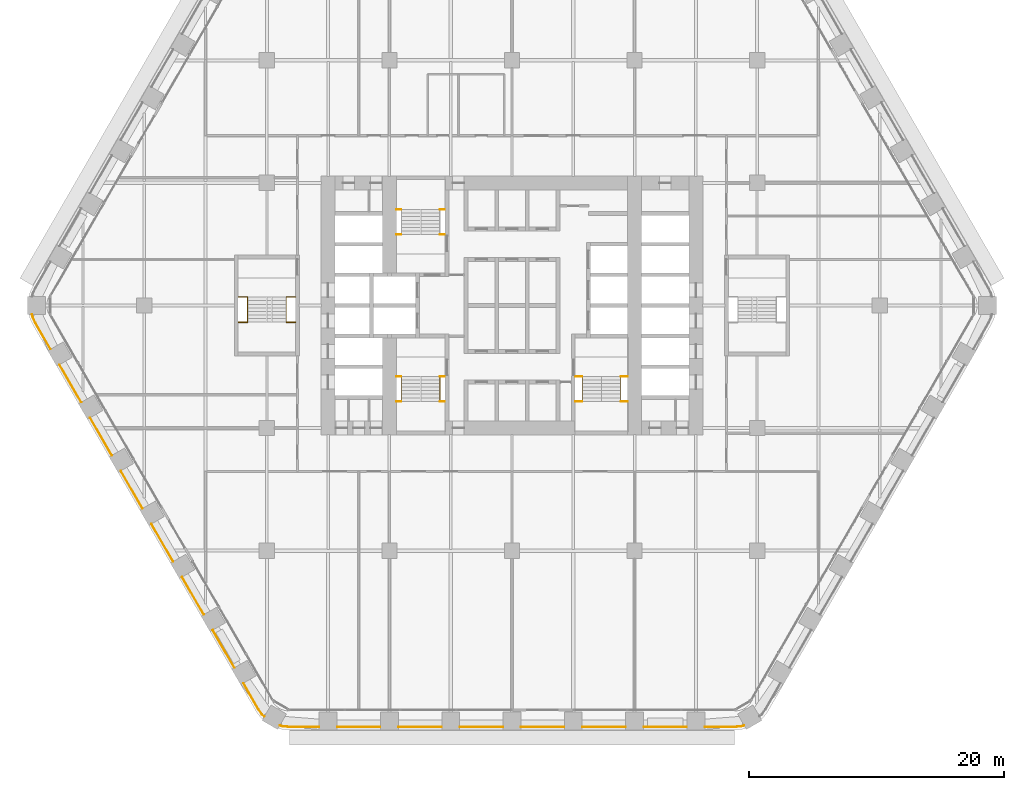
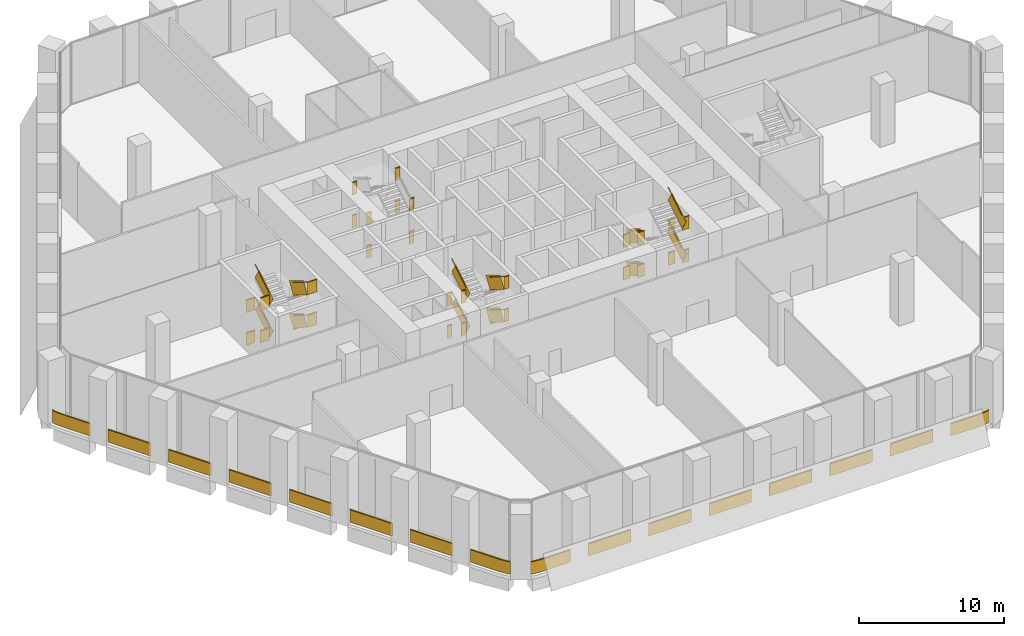
# One storey, part 26 of 27: 9 railings.
"""IFC4 building model written with IfcOpenShell, lengths in metres."""

import ifcopenshell
import ifcopenshell.guid

model = None  # the IFC model being written
_history = None  # IfcOwnerHistory: only IFC2X3 demands one
_inside = {}  # id of a spatial element -> (the spatial element, [elements in it])
_under = {}  # id of a project, library or spatial element -> (it, [spatial elements below it])
_declared = {}  # id of a project -> (the project, [libraries it declares])
_typed = {}  # id of a type object -> (the type object, [elements of that type])
_made_of = {}  # id of a material, layer set ... -> (it, [elements and type objects made of it])


def new_model(schema):
    """Start an empty IFC model of exactly this schema.

    Asked for "IFC4X3", IfcOpenShell would pick the latest addendum, in which some entities
    have other attributes; the version numbers below select the first issue.
    IFC2X3 requires an IfcOwnerHistory on every rooted entity: one is made here for all.
    """
    global model, _history
    if schema == "IFC4X3":
        model = ifcopenshell.file(schema_version=(4, 3, 0, 0))
    else:
        model = ifcopenshell.file(schema=schema)
    _inside.clear()
    _under.clear()
    _declared.clear()
    _typed.clear()
    _made_of.clear()
    _history = None
    if model.schema == "IFC2X3":
        org = make("IfcOrganization", Name="unknown")
        user = make(
            "IfcPersonAndOrganization",
            ThePerson=make("IfcPerson", FamilyName="unknown"),
            TheOrganization=org,
        )
        app = make(
            "IfcApplication",
            ApplicationDeveloper=org,
            Version="unknown",
            ApplicationFullName="unknown",
            ApplicationIdentifier="unknown",
        )
        _history = make(
            "IfcOwnerHistory",
            OwningUser=user,
            OwningApplication=app,
            ChangeAction="ADDED",
            CreationDate=0,
        )
    return model


def make(cls, **values):
    """One entity of the class cls with the attributes given. An attribute that is None is left unset."""
    return model.create_entity(
        cls, **{name: value for name, value in values.items() if value is not None}
    )


def rooted(cls, **values):
    """An entity with a GlobalId (a new one), such as an element, a storey or a relation."""
    return make(cls, GlobalId=ifcopenshell.guid.new(), OwnerHistory=_history, **values)


def si_unit(unit_type, name, prefix=None):
    """IfcSIUnit, for example si_unit("LENGTHUNIT", "METRE", prefix="MILLI")."""
    return make("IfcSIUnit", UnitType=unit_type, Prefix=prefix, Name=name)


def assignment(units):
    """IfcUnitAssignment: the units of a project."""
    return None if units is None else make("IfcUnitAssignment", Units=units)


def point(xyz):
    """IfcCartesianPoint."""
    return None if xyz is None else make("IfcCartesianPoint", Coordinates=xyz)


def direction(xyz):
    """IfcDirection."""
    return None if xyz is None else make("IfcDirection", DirectionRatios=xyz)


def frame(location, z_axis=None, x_axis=None):
    """IfcAxis2Placement3D, a coordinate frame: its origin and axes. An axis left out is left unset."""
    return make(
        "IfcAxis2Placement3D",
        Location=point(location),
        Axis=direction(z_axis),
        RefDirection=direction(x_axis),
    )


def frame_2d(location, x_axis=None):
    """IfcAxis2Placement2D, a coordinate frame in the plane: its origin and x axis."""
    return make(
        "IfcAxis2Placement2D", Location=point(location), RefDirection=direction(x_axis)
    )


def origin():
    """The frame at (0, 0, 0) with its axes left unset."""
    return frame((0.0, 0.0, 0.0))


def origin_2d():
    """The frame at (0, 0) in the plane with its x axis left unset."""
    return frame_2d((0.0, 0.0))


def place(relative_to, where):
    """IfcLocalPlacement: puts the frame where relative to a parent placement (None: the world)."""
    return make(
        "IfcLocalPlacement", PlacementRelTo=relative_to, RelativePlacement=where
    )


def context(
    kind, dimensions, precision=None, world=None, true_north=None, identifier=None
):
    """IfcGeometricRepresentationContext, for example the 3D "Model" context."""
    return make(
        "IfcGeometricRepresentationContext",
        ContextIdentifier=identifier,
        ContextType=kind,
        CoordinateSpaceDimension=dimensions,
        Precision=precision,
        WorldCoordinateSystem=world,
        TrueNorth=true_north,
    )


def subcontext(parent, identifier, kind, view, scale=None):
    """IfcGeometricRepresentationSubContext, for example "Body" below "Model"."""
    return make(
        "IfcGeometricRepresentationSubContext",
        ContextIdentifier=identifier,
        ContextType=kind,
        ParentContext=parent,
        TargetScale=scale,
        TargetView=view,
    )


def project(units=None, contexts=None):
    """IfcProject with its units and contexts."""
    return rooted(
        "IfcProject",
        Name="project",
        RepresentationContexts=contexts,
        UnitsInContext=assignment(units),
    )


def spatial(cls, under=None, at=None, **own):
    """A site, building, storey or space (cls), placed at a placement, below another one or the project."""
    s = rooted(cls, ObjectPlacement=at, **own)
    if under is not None:
        _under.setdefault(under.id(), (under, []))[1].append(s)
    return s


def profile(cls, at=None, kind="AREA", **sizes):
    """A parametric profile (cls). Its sizes go by their IFC names, for example OverallWidth=200.0."""
    return make(cls, ProfileType=kind, Position=at, **sizes)


def rectangle(**sizes):
    """IfcRectangleProfileDef."""
    return profile("IfcRectangleProfileDef", **sizes)


def extrude(swept, where, along, depth):
    """IfcExtrudedAreaSolid: the profile swept, set in the frame where, extruded along a direction by depth."""
    return make(
        "IfcExtrudedAreaSolid",
        SweptArea=swept,
        Position=where,
        ExtrudedDirection=direction(along),
        Depth=depth,
    )


def shape(context_of_items, identifier, shape_type, items):
    """IfcShapeRepresentation: the items that make up one representation, for example the "Body"."""
    return make(
        "IfcShapeRepresentation",
        ContextOfItems=context_of_items,
        RepresentationIdentifier=identifier,
        RepresentationType=shape_type,
        Items=items,
    )


def material(Name=None, Category=None):
    """IfcMaterial."""
    return make("IfcMaterial", Name=Name, Category=Category)


def made_of(thing, what):
    """Note that an element or type object is made of a material, layer set ...; save() writes the relation."""
    if what is not None:
        _made_of.setdefault(what.id(), (what, []))[1].append(thing)
    return thing


def type_object(cls, material=None, **own):
    """A type object (cls), such as IfcWallType, which elements share."""
    return made_of(rooted(cls, **own), material)


def element(
    cls,
    number,
    at=None,
    inside=None,
    cuts=None,
    type_object=None,
    material=None,
    context=None,
    identifier="Body",
    shape_type=None,
    held_by="IfcProductDefinitionShape",
    body=None,
    shapes=None,
    **own,
):
    """One element of the class cls, such as IfcWall. Its Tag is "e" and its number.

    at: its placement. inside: the storey or other place that contains it. cuts: it is an
    opening in that element (IfcRelVoidsElement). A single representation is given by context,
    identifier, shape_type and body (its items); several are given by shapes. held_by: the class
    of the entity that holds the representations. save() writes the other relations.
    """
    e = rooted(cls, Tag="e%d" % number, ObjectPlacement=at, **own)
    if body is not None:
        shapes = [shape(context, identifier, shape_type, body)]
    if shapes is not None:
        e.Representation = make(held_by, Representations=shapes)
    if inside is not None:
        _inside.setdefault(inside.id(), (inside, []))[1].append(e)
    if cuts is not None:
        rooted(
            "IfcRelVoidsElement", RelatingBuildingElement=cuts, RelatedOpeningElement=e
        )
    if type_object is not None:
        _typed.setdefault(type_object.id(), (type_object, []))[1].append(e)
    return made_of(e, material)


def aggregate(whole, parts):
    """IfcRelAggregates: a whole, such as a stair, and the parts it consists of."""
    return rooted("IfcRelAggregates", RelatingObject=whole, RelatedObjects=parts)


def save(model, path):
    """Write the relations noted so far, then the file.

    IfcRelAggregates (storeys below a building ...), IfcRelContainedInSpatialStructure (elements
    in a storey), IfcRelDefinesByType, IfcRelAssociatesMaterial and IfcRelDeclares: one each for
    every whole, place, type object, material and project.
    """
    for whole, parts in _under.values():
        aggregate(whole, parts)
    for where, things in _inside.values():
        rooted(
            "IfcRelContainedInSpatialStructure",
            RelatedElements=things,
            RelatingStructure=where,
        )
    for kind, things in _typed.values():
        rooted("IfcRelDefinesByType", RelatedObjects=things, RelatingType=kind)
    for what, things in _made_of.values():
        rooted("IfcRelAssociatesMaterial", RelatedObjects=things, RelatingMaterial=what)
    for by, libraries in _declared.values():
        rooted("IfcRelDeclares", RelatingContext=by, RelatedDefinitions=libraries)
    model.write(path)


model = new_model("IFC4")

# Units and contexts
model_context = context("Model", 3, precision=1e-05, world=origin(), true_north=direction((0.0, 1.0)))
body_context = subcontext(model_context, "Body", "Model", "MODEL_VIEW")
ifc_project = project(units=[si_unit("LENGTHUNIT", "METRE"), si_unit("AREAUNIT", "SQUARE_METRE"), si_unit("VOLUMEUNIT", "CUBIC_METRE"), si_unit("PLANEANGLEUNIT", "RADIAN"), si_unit("MASSUNIT", "GRAM", prefix="KILO")], contexts=[model_context])

# Site, building, storey
site_placement = place(None, origin())
site = spatial("IfcSite", under=ifc_project, at=site_placement, CompositionType="ELEMENT")
building_placement = place(site_placement, origin())
building = spatial("IfcBuilding", under=site, at=building_placement, Name="Kolab Exchange Tower", CompositionType="ELEMENT")
storey_placement = place(building_placement, frame((0.0, 0.0, 44.39990234375)))
storey = spatial("IfcBuildingStorey", under=building, at=storey_placement, Name="L08", CompositionType="ELEMENT", Elevation=44.39990234375)

# Railings
ifc_material_1 = material(Name="Stainless steel 316", Category="steel")
railing_type_1 = type_object("IfcRailingType", Name="GUARD 1100", PredefinedType="GUARDRAIL", material=ifc_material_1)
railing_1_placement = place(storey_placement, frame((-9.050048828125, 5.550048828125, 0.0)))
element("IfcRailing", 1, at=railing_1_placement, inside=storey, type_object=railing_type_1, Name="Guard ST1", PredefinedType="GUARDRAIL", context=body_context, shape_type="SweptSolid", body=[
    extrude(rectangle(XDim=0.05, YDim=0.05, at=origin_2d()), frame((0.0, 0.0, 1.0751953125), z_axis=(1.0, 0.0, 0.0), x_axis=(0.0, 1.0, 0.0)), (0.0, 0.0, 1.0), 0.39013671875),
    extrude(rectangle(XDim=0.012, YDim=1.05009765625, at=frame_2d((0.0, 0.525146484375))), frame((0.0, 0.0, 0.0), z_axis=(1.0, 0.0, 0.0), x_axis=(0.0, 1.0, 0.0)), (0.0, 0.0, 1.0), 0.39013671875),
    extrude(rectangle(XDim=0.05, YDim=0.05, at=origin_2d()), frame((3.41015625, 0.0, 1.0751953125), z_axis=(1.0, 0.0, 0.0), x_axis=(0.0, 1.0, 0.0)), (0.0, 0.0, 1.0), 0.389892578125),
    extrude(rectangle(XDim=0.012, YDim=1.05009765625, at=frame_2d((0.0, 0.525146484375))), frame((3.41015625, 0.0, 0.0), z_axis=(1.0, 0.0, 0.0), x_axis=(0.0, 1.0, 0.0)), (0.0, 0.0, 1.0), 0.389892578125),
    extrude(rectangle(XDim=0.05, YDim=0.05, at=origin_2d()), frame((0.0, 1.9599609375, 2.4501953125), z_axis=(1.0, 0.0, 0.0), x_axis=(0.0, 1.0, 0.0)), (0.0, 0.0, 1.0), 0.39013671875),
    extrude(rectangle(XDim=0.012, YDim=1.05009765625, at=frame_2d((0.0, 0.525146484375))), frame((0.0, 1.9599609375, 1.375), z_axis=(1.0, 0.0, 0.0), x_axis=(0.0, 1.0, 0.0)), (0.0, 0.0, 1.0), 0.39013671875),
    extrude(rectangle(XDim=0.05, YDim=0.05, at=origin_2d()), frame((3.41015625, 1.9599609375, 2.4501953125), z_axis=(1.0, 0.0, 0.0), x_axis=(0.0, 1.0, 0.0)), (0.0, 0.0, 1.0), 0.389892578125),
    extrude(rectangle(XDim=0.012, YDim=1.05009765625, at=frame_2d((0.0, 0.525146484375))), frame((3.41015625, 1.9599609375, 1.375), z_axis=(1.0, 0.0, 0.0), x_axis=(0.0, 1.0, 0.0)), (0.0, 0.0, 1.0), 0.389892578125),
    extrude(rectangle(XDim=0.05, YDim=0.05, at=origin_2d()), frame((0.0, 0.0, 3.8251953125), z_axis=(1.0, 0.0, 0.0), x_axis=(0.0, 1.0, 0.0)), (0.0, 0.0, 1.0), 0.39013671875),
    extrude(rectangle(XDim=0.012, YDim=1.05009765625, at=frame_2d((0.0, 0.525146484375))), frame((0.0, 0.0, 2.75), z_axis=(1.0, 0.0, 0.0), x_axis=(0.0, 1.0, 0.0)), (0.0, 0.0, 1.0), 0.39013671875),
    extrude(rectangle(XDim=0.05, YDim=0.05, at=origin_2d()), frame((3.41015625, 0.0, 3.8251953125), z_axis=(1.0, 0.0, 0.0), x_axis=(0.0, 1.0, 0.0)), (0.0, 0.0, 1.0), 0.389892578125),
    extrude(rectangle(XDim=0.012, YDim=1.05009765625, at=frame_2d((0.0, 0.525146484375))), frame((3.41015625, 0.0, 2.75), z_axis=(1.0, 0.0, 0.0), x_axis=(0.0, 1.0, 0.0)), (0.0, 0.0, 1.0), 0.389892578125),
    extrude(rectangle(XDim=0.05, YDim=0.05, at=origin_2d()), frame((0.0, 1.9599609375, 5.2001953125), z_axis=(1.0, 0.0, 0.0), x_axis=(0.0, 1.0, 0.0)), (0.0, 0.0, 1.0), 0.39013671875),
    extrude(rectangle(XDim=0.012, YDim=1.05009765625, at=frame_2d((0.0, 0.525146484375))), frame((0.0, 1.9599609375, 4.125), z_axis=(1.0, 0.0, 0.0), x_axis=(0.0, 1.0, 0.0)), (0.0, 0.0, 1.0), 0.39013671875),
    extrude(rectangle(XDim=0.05, YDim=0.05, at=origin_2d()), frame((3.41015625, 1.9599609375, 5.2001953125), z_axis=(1.0, 0.0, 0.0), x_axis=(0.0, 1.0, 0.0)), (0.0, 0.0, 1.0), 0.389892578125),
    extrude(rectangle(XDim=0.012, YDim=1.05009765625, at=frame_2d((0.0, 0.525146484375))), frame((3.41015625, 1.9599609375, 4.125), z_axis=(1.0, 0.0, 0.0), x_axis=(0.0, 1.0, 0.0)), (0.0, 0.0, 1.0), 0.389892578125),
])
railing_2_placement = place(storey_placement, frame((-9.050048828125, -5.550048828125, 0.0)))
element("IfcRailing", 2, at=railing_2_placement, inside=storey, type_object=railing_type_1, Name="Guard ST3", PredefinedType="GUARDRAIL", context=body_context, shape_type="SweptSolid", body=[
    extrude(rectangle(XDim=0.05, YDim=0.05, at=origin_2d()), frame((0.0, 0.0, 1.0751953125), z_axis=(1.0, 0.0, 0.0), x_axis=(0.0, 1.0, 0.0)), (0.0, 0.0, 1.0), 0.39013671875),
    extrude(rectangle(XDim=0.012, YDim=1.05009765625, at=frame_2d((0.0, 0.525146484375))), frame((0.0, 0.0, 0.0), z_axis=(1.0, 0.0, 0.0), x_axis=(0.0, 1.0, 0.0)), (0.0, 0.0, 1.0), 0.39013671875),
    extrude(rectangle(XDim=0.05, YDim=0.05, at=origin_2d()), frame((3.41015625, 0.0, 1.0751953125), z_axis=(1.0, 0.0, 0.0), x_axis=(0.0, 1.0, 0.0)), (0.0, 0.0, 1.0), 0.389892578125),
    extrude(rectangle(XDim=0.012, YDim=1.05009765625, at=frame_2d((0.0, 0.525146484375))), frame((3.41015625, 0.0, 0.0), z_axis=(1.0, 0.0, 0.0), x_axis=(0.0, 1.0, 0.0)), (0.0, 0.0, 1.0), 0.389892578125),
    extrude(rectangle(XDim=0.05, YDim=0.05, at=origin_2d()), frame((0.0, -1.9599609375, 2.4501953125), z_axis=(1.0, 0.0, 0.0), x_axis=(0.0, 1.0, 0.0)), (0.0, 0.0, 1.0), 0.39013671875),
    extrude(rectangle(XDim=0.012, YDim=1.05009765625, at=frame_2d((0.0, 0.525146484375))), frame((0.0, -1.9599609375, 1.375), z_axis=(1.0, 0.0, 0.0), x_axis=(0.0, 1.0, 0.0)), (0.0, 0.0, 1.0), 0.39013671875),
    extrude(rectangle(XDim=0.05, YDim=0.05, at=origin_2d()), frame((3.41015625, -1.9599609375, 2.4501953125), z_axis=(1.0, 0.0, 0.0), x_axis=(0.0, 1.0, 0.0)), (0.0, 0.0, 1.0), 0.389892578125),
    extrude(rectangle(XDim=0.012, YDim=1.05009765625, at=frame_2d((0.0, 0.525146484375))), frame((3.41015625, -1.9599609375, 1.375), z_axis=(1.0, 0.0, 0.0), x_axis=(0.0, 1.0, 0.0)), (0.0, 0.0, 1.0), 0.389892578125),
    extrude(rectangle(XDim=0.05, YDim=0.05, at=origin_2d()), frame((0.0, 0.0, 3.8251953125), z_axis=(1.0, 0.0, 0.0), x_axis=(0.0, 1.0, 0.0)), (0.0, 0.0, 1.0), 0.39013671875),
    extrude(rectangle(XDim=0.012, YDim=1.05009765625, at=frame_2d((0.0, 0.525146484375))), frame((0.0, 0.0, 2.75), z_axis=(1.0, 0.0, 0.0), x_axis=(0.0, 1.0, 0.0)), (0.0, 0.0, 1.0), 0.39013671875),
    extrude(rectangle(XDim=0.05, YDim=0.05, at=origin_2d()), frame((3.41015625, 0.0, 3.8251953125), z_axis=(1.0, 0.0, 0.0), x_axis=(0.0, 1.0, 0.0)), (0.0, 0.0, 1.0), 0.389892578125),
    extrude(rectangle(XDim=0.012, YDim=1.05009765625, at=frame_2d((0.0, 0.525146484375))), frame((3.41015625, 0.0, 2.75), z_axis=(1.0, 0.0, 0.0), x_axis=(0.0, 1.0, 0.0)), (0.0, 0.0, 1.0), 0.389892578125),
    extrude(rectangle(XDim=0.05, YDim=0.05, at=origin_2d()), frame((0.0, -1.9599609375, 5.2001953125), z_axis=(1.0, 0.0, 0.0), x_axis=(0.0, 1.0, 0.0)), (0.0, 0.0, 1.0), 0.39013671875),
    extrude(rectangle(XDim=0.012, YDim=1.05009765625, at=frame_2d((0.0, 0.525146484375))), frame((0.0, -1.9599609375, 4.125), z_axis=(1.0, 0.0, 0.0), x_axis=(0.0, 1.0, 0.0)), (0.0, 0.0, 1.0), 0.39013671875),
    extrude(rectangle(XDim=0.05, YDim=0.05, at=origin_2d()), frame((3.41015625, -1.9599609375, 5.2001953125), z_axis=(1.0, 0.0, 0.0), x_axis=(0.0, 1.0, 0.0)), (0.0, 0.0, 1.0), 0.389892578125),
    extrude(rectangle(XDim=0.012, YDim=1.05009765625, at=frame_2d((0.0, 0.525146484375))), frame((3.41015625, -1.9599609375, 4.125), z_axis=(1.0, 0.0, 0.0), x_axis=(0.0, 1.0, 0.0)), (0.0, 0.0, 1.0), 0.389892578125),
])
railing_3_placement = place(storey_placement, frame((-5.639892578125, -5.550048828125, 0.172119140625)))
element("IfcRailing", 3, at=railing_3_placement, inside=storey, type_object=railing_type_1, Name="Handrail guard ST3", PredefinedType="GUARDRAIL", context=body_context, shape_type="SweptSolid", body=[
    extrude(rectangle(XDim=0.05, YDim=0.05, at=origin_2d()), frame((0.0, 0.0, 1.0751953125), z_axis=(0.0, -0.852288308005, 0.523072308613), x_axis=(1.0, 0.0, 0.0)), (0.0, 0.0, 1.0), 2.299560546875),
    extrude(rectangle(XDim=0.012, YDim=1.05009765625, at=frame_2d((0.0, 0.525146484375))), frame((0.0, 0.0, 0.0), z_axis=(0.0, -0.852288308005, 0.523072308613), x_axis=(1.0, 0.0, 0.0)), (0.0, 0.0, 1.0), 2.299560546875),
    extrude(rectangle(XDim=0.05, YDim=0.05, at=origin_2d()), frame((-3.02001953125, -1.9599609375, 2.4501953125), z_axis=(0.0, 0.852288308005, 0.523072308613), x_axis=(-1.0, 0.0, 0.0)), (0.0, 0.0, 1.0), 2.299560546875),
    extrude(rectangle(XDim=0.012, YDim=1.05009765625, at=frame_2d((0.0, 0.525146484375))), frame((-3.02001953125, -1.9599609375, 1.375), z_axis=(0.0, 0.852288308005, 0.523072308613), x_axis=(-1.0, 0.0, 0.0)), (0.0, 0.0, 1.0), 2.299560546875),
    extrude(rectangle(XDim=0.05, YDim=0.05, at=origin_2d()), frame((0.0, 0.0, 3.8251953125), z_axis=(0.0, -0.852288308005, 0.523072308613), x_axis=(1.0, 0.0, 0.0)), (0.0, 0.0, 1.0), 2.299560546875),
    extrude(rectangle(XDim=0.012, YDim=1.05009765625, at=frame_2d((0.0, 0.525146484375))), frame((0.0, 0.0, 2.75), z_axis=(0.0, -0.852288308005, 0.523072308613), x_axis=(1.0, 0.0, 0.0)), (0.0, 0.0, 1.0), 2.299560546875),
    extrude(rectangle(XDim=0.05, YDim=0.05, at=origin_2d()), frame((-3.02001953125, -1.9599609375, 5.2001953125), z_axis=(0.0, 0.852288308005, 0.523072308613), x_axis=(-1.0, 0.0, 0.0)), (0.0, 0.0, 1.0), 2.299560546875),
    extrude(rectangle(XDim=0.012, YDim=1.05009765625, at=frame_2d((0.0, 0.525146484375))), frame((-3.02001953125, -1.9599609375, 4.125), z_axis=(0.0, 0.852288308005, 0.523072308613), x_axis=(-1.0, 0.0, 0.0)), (0.0, 0.0, 1.0), 2.299560546875),
])
railing_4_placement = place(storey_placement, frame((4.949951171875, -5.550048828125, 0.0)))
element("IfcRailing", 4, at=railing_4_placement, inside=storey, type_object=railing_type_1, Name="Guard ST2", PredefinedType="GUARDRAIL", context=body_context, shape_type="SweptSolid", body=[
    extrude(rectangle(XDim=0.05, YDim=0.05, at=origin_2d()), frame((0.0, 0.0, 1.0751953125), z_axis=(1.0, 0.0, 0.0), x_axis=(0.0, 1.0, 0.0)), (0.0, 0.0, 1.0), 0.5400390625),
    extrude(rectangle(XDim=0.012, YDim=1.05009765625, at=frame_2d((0.0, 0.525146484375))), frame((0.0, 0.0, 0.0), z_axis=(1.0, 0.0, 0.0), x_axis=(0.0, 1.0, 0.0)), (0.0, 0.0, 1.0), 0.5400390625),
    extrude(rectangle(XDim=0.05, YDim=0.05, at=origin_2d()), frame((3.56005859375, 0.0, 1.0751953125), z_axis=(1.0, 0.0, 0.0), x_axis=(0.0, 1.0, 0.0)), (0.0, 0.0, 1.0), 0.5400390625),
    extrude(rectangle(XDim=0.012, YDim=1.05009765625, at=frame_2d((0.0, 0.525146484375))), frame((3.56005859375, 0.0, 0.0), z_axis=(1.0, 0.0, 0.0), x_axis=(0.0, 1.0, 0.0)), (0.0, 0.0, 1.0), 0.5400390625),
    extrude(rectangle(XDim=0.05, YDim=0.05, at=origin_2d()), frame((0.0, -1.9599609375, 2.4501953125), z_axis=(1.0, 0.0, 0.0), x_axis=(0.0, 1.0, 0.0)), (0.0, 0.0, 1.0), 0.5400390625),
    extrude(rectangle(XDim=0.012, YDim=1.05009765625, at=frame_2d((0.0, 0.525146484375))), frame((0.0, -1.9599609375, 1.375), z_axis=(1.0, 0.0, 0.0), x_axis=(0.0, 1.0, 0.0)), (0.0, 0.0, 1.0), 0.5400390625),
    extrude(rectangle(XDim=0.05, YDim=0.05, at=origin_2d()), frame((3.56005859375, -1.9599609375, 2.4501953125), z_axis=(1.0, 0.0, 0.0), x_axis=(0.0, 1.0, 0.0)), (0.0, 0.0, 1.0), 0.5400390625),
    extrude(rectangle(XDim=0.012, YDim=1.05009765625, at=frame_2d((0.0, 0.525146484375))), frame((3.56005859375, -1.9599609375, 1.375), z_axis=(1.0, 0.0, 0.0), x_axis=(0.0, 1.0, 0.0)), (0.0, 0.0, 1.0), 0.5400390625),
    extrude(rectangle(XDim=0.05, YDim=0.05, at=origin_2d()), frame((0.0, 0.0, 3.8251953125), z_axis=(1.0, 0.0, 0.0), x_axis=(0.0, 1.0, 0.0)), (0.0, 0.0, 1.0), 0.5400390625),
    extrude(rectangle(XDim=0.012, YDim=1.05009765625, at=frame_2d((0.0, 0.525146484375))), frame((0.0, 0.0, 2.75), z_axis=(1.0, 0.0, 0.0), x_axis=(0.0, 1.0, 0.0)), (0.0, 0.0, 1.0), 0.5400390625),
    extrude(rectangle(XDim=0.05, YDim=0.05, at=origin_2d()), frame((3.56005859375, 0.0, 3.8251953125), z_axis=(1.0, 0.0, 0.0), x_axis=(0.0, 1.0, 0.0)), (0.0, 0.0, 1.0), 0.5400390625),
    extrude(rectangle(XDim=0.012, YDim=1.05009765625, at=frame_2d((0.0, 0.525146484375))), frame((3.56005859375, 0.0, 2.75), z_axis=(1.0, 0.0, 0.0), x_axis=(0.0, 1.0, 0.0)), (0.0, 0.0, 1.0), 0.5400390625),
    extrude(rectangle(XDim=0.05, YDim=0.05, at=origin_2d()), frame((0.0, -1.9599609375, 5.2001953125), z_axis=(1.0, 0.0, 0.0), x_axis=(0.0, 1.0, 0.0)), (0.0, 0.0, 1.0), 0.5400390625),
    extrude(rectangle(XDim=0.012, YDim=1.05009765625, at=frame_2d((0.0, 0.525146484375))), frame((0.0, -1.9599609375, 4.125), z_axis=(1.0, 0.0, 0.0), x_axis=(0.0, 1.0, 0.0)), (0.0, 0.0, 1.0), 0.5400390625),
    extrude(rectangle(XDim=0.05, YDim=0.05, at=origin_2d()), frame((3.56005859375, -1.9599609375, 5.2001953125), z_axis=(1.0, 0.0, 0.0), x_axis=(0.0, 1.0, 0.0)), (0.0, 0.0, 1.0), 0.5400390625),
    extrude(rectangle(XDim=0.012, YDim=1.05009765625, at=frame_2d((0.0, 0.525146484375))), frame((3.56005859375, -1.9599609375, 4.125), z_axis=(1.0, 0.0, 0.0), x_axis=(0.0, 1.0, 0.0)), (0.0, 0.0, 1.0), 0.5400390625),
])
railing_5_placement = place(storey_placement, frame((5.489990234375, -5.550048828125, 0.172119140625)))
element("IfcRailing", 5, at=railing_5_placement, inside=storey, type_object=railing_type_1, Name="Handrail guard ST2", PredefinedType="GUARDRAIL", context=body_context, shape_type="SweptSolid", body=[
    extrude(rectangle(XDim=0.05, YDim=0.05, at=origin_2d()), frame((0.0, 0.0, 1.0751953125), z_axis=(0.0, -0.852288308005, 0.523072308613), x_axis=(1.0, 0.0, 0.0)), (0.0, 0.0, 1.0), 2.299560546875),
    extrude(rectangle(XDim=0.012, YDim=1.05009765625, at=frame_2d((0.0, 0.525146484375))), frame((0.0, 0.0, 0.0), z_axis=(0.0, -0.852288308005, 0.523072308613), x_axis=(1.0, 0.0, 0.0)), (0.0, 0.0, 1.0), 2.299560546875),
    extrude(rectangle(XDim=0.05, YDim=0.05, at=origin_2d()), frame((3.02001953125, -1.9599609375, 2.4501953125), z_axis=(0.0, 0.852288308005, 0.523072308613), x_axis=(-1.0, 0.0, 0.0)), (0.0, 0.0, 1.0), 2.299560546875),
    extrude(rectangle(XDim=0.012, YDim=1.05009765625, at=frame_2d((0.0, 0.525146484375))), frame((3.02001953125, -1.9599609375, 1.375), z_axis=(0.0, 0.852288308005, 0.523072308613), x_axis=(-1.0, 0.0, 0.0)), (0.0, 0.0, 1.0), 2.299560546875),
    extrude(rectangle(XDim=0.05, YDim=0.05, at=origin_2d()), frame((0.0, 0.0, 3.8251953125), z_axis=(0.0, -0.852288308005, 0.523072308613), x_axis=(1.0, 0.0, 0.0)), (0.0, 0.0, 1.0), 2.299560546875),
    extrude(rectangle(XDim=0.012, YDim=1.05009765625, at=frame_2d((0.0, 0.525146484375))), frame((0.0, 0.0, 2.75), z_axis=(0.0, -0.852288308005, 0.523072308613), x_axis=(1.0, 0.0, 0.0)), (0.0, 0.0, 1.0), 2.299560546875),
    extrude(rectangle(XDim=0.05, YDim=0.05, at=origin_2d()), frame((3.02001953125, -1.9599609375, 5.2001953125), z_axis=(0.0, 0.852288308005, 0.523072308613), x_axis=(-1.0, 0.0, 0.0)), (0.0, 0.0, 1.0), 2.299560546875),
    extrude(rectangle(XDim=0.012, YDim=1.05009765625, at=frame_2d((0.0, 0.525146484375))), frame((3.02001953125, -1.9599609375, 4.125), z_axis=(0.0, 0.852288308005, 0.523072308613), x_axis=(-1.0, 0.0, 0.0)), (0.0, 0.0, 1.0), 2.299560546875),
])
railing_6_placement = place(storey_placement, frame((-21.449951171875, 0.64990234375, 0.0)))
element("IfcRailing", 6, at=railing_6_placement, inside=storey, type_object=railing_type_1, Name="Guard ST5", PredefinedType="GUARDRAIL", context=body_context, shape_type="SweptSolid", body=[
    extrude(rectangle(XDim=0.05, YDim=0.05, at=origin_2d()), frame((0.0, 0.0, 1.0751953125), z_axis=(1.0, 0.0, 0.0), x_axis=(0.0, 1.0, 0.0)), (0.0, 0.0, 1.0), 0.739990234375),
    extrude(rectangle(XDim=0.012, YDim=1.05009765625, at=frame_2d((0.0, 0.525146484375))), frame((0.0, 0.0, 0.0), z_axis=(1.0, 0.0, 0.0), x_axis=(0.0, 1.0, 0.0)), (0.0, 0.0, 1.0), 0.739990234375),
    extrude(rectangle(XDim=0.05, YDim=0.05, at=origin_2d()), frame((3.760009765625, 0.0, 1.0751953125), z_axis=(1.0, 0.0, 0.0), x_axis=(0.0, 1.0, 0.0)), (0.0, 0.0, 1.0), 0.739990234375),
    extrude(rectangle(XDim=0.012, YDim=1.05009765625, at=frame_2d((0.0, 0.525146484375))), frame((3.760009765625, 0.0, 0.0), z_axis=(1.0, 0.0, 0.0), x_axis=(0.0, 1.0, 0.0)), (0.0, 0.0, 1.0), 0.739990234375),
    extrude(rectangle(XDim=0.05, YDim=0.05, at=origin_2d()), frame((0.0, -1.9599609375, 2.4501953125), z_axis=(1.0, 0.0, 0.0), x_axis=(0.0, 1.0, 0.0)), (0.0, 0.0, 1.0), 0.739990234375),
    extrude(rectangle(XDim=0.012, YDim=1.05009765625, at=frame_2d((0.0, 0.525146484375))), frame((0.0, -1.9599609375, 1.375), z_axis=(1.0, 0.0, 0.0), x_axis=(0.0, 1.0, 0.0)), (0.0, 0.0, 1.0), 0.739990234375),
    extrude(rectangle(XDim=0.05, YDim=0.05, at=origin_2d()), frame((3.760009765625, -1.9599609375, 2.4501953125), z_axis=(1.0, 0.0, 0.0), x_axis=(0.0, 1.0, 0.0)), (0.0, 0.0, 1.0), 0.739990234375),
    extrude(rectangle(XDim=0.012, YDim=1.05009765625, at=frame_2d((0.0, 0.525146484375))), frame((3.760009765625, -1.9599609375, 1.375), z_axis=(1.0, 0.0, 0.0), x_axis=(0.0, 1.0, 0.0)), (0.0, 0.0, 1.0), 0.739990234375),
    extrude(rectangle(XDim=0.05, YDim=0.05, at=origin_2d()), frame((0.0, 0.0, 3.8251953125), z_axis=(1.0, 0.0, 0.0), x_axis=(0.0, 1.0, 0.0)), (0.0, 0.0, 1.0), 0.739990234375),
    extrude(rectangle(XDim=0.012, YDim=1.05009765625, at=frame_2d((0.0, 0.525146484375))), frame((0.0, 0.0, 2.75), z_axis=(1.0, 0.0, 0.0), x_axis=(0.0, 1.0, 0.0)), (0.0, 0.0, 1.0), 0.739990234375),
    extrude(rectangle(XDim=0.05, YDim=0.05, at=origin_2d()), frame((3.760009765625, 0.0, 3.8251953125), z_axis=(1.0, 0.0, 0.0), x_axis=(0.0, 1.0, 0.0)), (0.0, 0.0, 1.0), 0.739990234375),
    extrude(rectangle(XDim=0.012, YDim=1.05009765625, at=frame_2d((0.0, 0.525146484375))), frame((3.760009765625, 0.0, 2.75), z_axis=(1.0, 0.0, 0.0), x_axis=(0.0, 1.0, 0.0)), (0.0, 0.0, 1.0), 0.739990234375),
    extrude(rectangle(XDim=0.05, YDim=0.05, at=origin_2d()), frame((0.0, -1.9599609375, 5.2001953125), z_axis=(1.0, 0.0, 0.0), x_axis=(0.0, 1.0, 0.0)), (0.0, 0.0, 1.0), 0.739990234375),
    extrude(rectangle(XDim=0.012, YDim=1.05009765625, at=frame_2d((0.0, 0.525146484375))), frame((0.0, -1.9599609375, 4.125), z_axis=(1.0, 0.0, 0.0), x_axis=(0.0, 1.0, 0.0)), (0.0, 0.0, 1.0), 0.739990234375),
    extrude(rectangle(XDim=0.05, YDim=0.05, at=origin_2d()), frame((3.760009765625, -1.9599609375, 5.2001953125), z_axis=(1.0, 0.0, 0.0), x_axis=(0.0, 1.0, 0.0)), (0.0, 0.0, 1.0), 0.739990234375),
    extrude(rectangle(XDim=0.012, YDim=1.05009765625, at=frame_2d((0.0, 0.525146484375))), frame((3.760009765625, -1.9599609375, 4.125), z_axis=(1.0, 0.0, 0.0), x_axis=(0.0, 1.0, 0.0)), (0.0, 0.0, 1.0), 0.739990234375),
])
railing_7_placement = place(storey_placement, frame((-17.68994140625, 0.64990234375, 0.172119140625)))
element("IfcRailing", 7, at=railing_7_placement, inside=storey, type_object=railing_type_1, Name="Handrail guard ST5", PredefinedType="GUARDRAIL", context=body_context, shape_type="SweptSolid", body=[
    extrude(rectangle(XDim=0.05, YDim=0.05, at=origin_2d()), frame((0.0, 0.0, 1.0751953125), z_axis=(0.0, -0.852288308005, 0.523072308613), x_axis=(1.0, 0.0, 0.0)), (0.0, 0.0, 1.0), 2.299560546875),
    extrude(rectangle(XDim=0.012, YDim=1.05009765625, at=frame_2d((0.0, 0.525146484375))), frame((0.0, 0.0, 0.0), z_axis=(0.0, -0.852288308005, 0.523072308613), x_axis=(1.0, 0.0, 0.0)), (0.0, 0.0, 1.0), 2.299560546875),
    extrude(rectangle(XDim=0.05, YDim=0.05, at=origin_2d()), frame((-3.02001953125, -1.9599609375, 2.4501953125), z_axis=(0.0, 0.852288308005, 0.523072308613), x_axis=(-1.0, 0.0, 0.0)), (0.0, 0.0, 1.0), 2.299560546875),
    extrude(rectangle(XDim=0.012, YDim=1.05009765625, at=frame_2d((0.0, 0.525146484375))), frame((-3.02001953125, -1.9599609375, 1.375), z_axis=(0.0, 0.852288308005, 0.523072308613), x_axis=(-1.0, 0.0, 0.0)), (0.0, 0.0, 1.0), 2.299560546875),
    extrude(rectangle(XDim=0.05, YDim=0.05, at=origin_2d()), frame((0.0, 0.0, 3.8251953125), z_axis=(0.0, -0.852288308005, 0.523072308613), x_axis=(1.0, 0.0, 0.0)), (0.0, 0.0, 1.0), 2.299560546875),
    extrude(rectangle(XDim=0.012, YDim=1.05009765625, at=frame_2d((0.0, 0.525146484375))), frame((0.0, 0.0, 2.75), z_axis=(0.0, -0.852288308005, 0.523072308613), x_axis=(1.0, 0.0, 0.0)), (0.0, 0.0, 1.0), 2.299560546875),
    extrude(rectangle(XDim=0.05, YDim=0.05, at=origin_2d()), frame((-3.02001953125, -1.9599609375, 5.2001953125), z_axis=(0.0, 0.852288308005, 0.523072308613), x_axis=(-1.0, 0.0, 0.0)), (0.0, 0.0, 1.0), 2.299560546875),
    extrude(rectangle(XDim=0.012, YDim=1.05009765625, at=frame_2d((0.0, 0.525146484375))), frame((-3.02001953125, -1.9599609375, 4.125), z_axis=(0.0, 0.852288308005, 0.523072308613), x_axis=(-1.0, 0.0, 0.0)), (0.0, 0.0, 1.0), 2.299560546875),
])
ifc_material_2 = material(Name="Steel S235", Category="steel")
railing_type_2 = type_object("IfcRailingType", Name="GUARD 1100 GLASS BALUSTRADE AND STEEL TOP RAIL", PredefinedType="GUARDRAIL", material=ifc_material_2)
railing_8_placement = place(storey_placement, frame((-18.1953125, -32.896728515625, 0.0)))
element("IfcRailing", 8, at=railing_8_placement, inside=storey, type_object=railing_type_2, Name="Guard", PredefinedType="GUARDRAIL", context=body_context, shape_type="SweptSolid", body=[
    extrude(rectangle(XDim=0.05, YDim=0.05, at=origin_2d()), frame((0.0, 0.0, 1.0751953125), z_axis=(0.965952265455, -0.258720352624, 0.0), x_axis=(0.258720352624, 0.965952265455, 0.0)), (0.0, 0.0, 1.0), 0.258544921875),
    extrude(rectangle(XDim=0.012, YDim=1.05009765625, at=frame_2d((0.0, 0.525146484375))), frame((0.0, 0.0, 0.0), z_axis=(0.965952265455, -0.258720352624, 0.0), x_axis=(0.258720352624, 0.965952265455, 0.0)), (0.0, 0.0, 1.0), 0.258544921875),
    extrude(rectangle(XDim=0.05, YDim=0.05, at=origin_2d()), frame((0.249755859375, -0.06689453125, 1.0751953125), z_axis=(0.996200348447, -0.087091134757, 0.0), x_axis=(0.087091134757, 0.996200348447, 0.0)), (0.0, 0.0, 1.0), 0.479248046875),
    extrude(rectangle(XDim=0.012, YDim=1.05009765625, at=frame_2d((0.0, 0.525146484375))), frame((0.249755859375, -0.06689453125, 0.0), z_axis=(0.996200348447, -0.087091134757, 0.0), x_axis=(0.087091134757, 0.996200348447, 0.0)), (0.0, 0.0, 1.0), 0.479248046875),
    extrude(rectangle(XDim=0.05, YDim=0.05, at=origin_2d()), frame((0.727294921875, -0.108642578125, 1.0751953125), z_axis=(1.0, 0.0, 0.0), x_axis=(0.0, 1.0, 0.0)), (0.0, 0.0, 1.0), 2.367919921875),
    extrude(rectangle(XDim=0.012, YDim=1.05009765625, at=frame_2d((0.0, 0.525146484375))), frame((0.727294921875, -0.108642578125, 0.0), z_axis=(1.0, 0.0, 0.0), x_axis=(0.0, 1.0, 0.0)), (0.0, 0.0, 1.0), 2.367919921875),
    extrude(rectangle(XDim=0.05, YDim=0.05, at=origin_2d()), frame((4.495361328125, -0.108642578125, 1.0751953125), z_axis=(1.0, 0.0, 0.0), x_axis=(0.0, 1.0, 0.0)), (0.0, 0.0, 1.0), 3.39990234375),
    extrude(rectangle(XDim=0.012, YDim=1.05009765625, at=frame_2d((0.0, 0.525146484375))), frame((4.495361328125, -0.108642578125, 0.0), z_axis=(1.0, 0.0, 0.0), x_axis=(0.0, 1.0, 0.0)), (0.0, 0.0, 1.0), 3.39990234375),
    extrude(rectangle(XDim=0.05, YDim=0.05, at=origin_2d()), frame((9.29541015625, -0.108642578125, 1.0751953125), z_axis=(1.0, 0.0, 0.0), x_axis=(0.0, 1.0, 0.0)), (0.0, 0.0, 1.0), 3.39990234375),
    extrude(rectangle(XDim=0.012, YDim=1.05009765625, at=frame_2d((0.0, 0.525146484375))), frame((9.29541015625, -0.108642578125, 0.0), z_axis=(1.0, 0.0, 0.0), x_axis=(0.0, 1.0, 0.0)), (0.0, 0.0, 1.0), 3.39990234375),
    extrude(rectangle(XDim=0.05, YDim=0.05, at=origin_2d()), frame((14.09521484375, -0.108642578125, 1.0751953125), z_axis=(1.0, 0.0, 0.0), x_axis=(0.0, 1.0, 0.0)), (0.0, 0.0, 1.0), 3.400146484375),
    extrude(rectangle(XDim=0.012, YDim=1.05009765625, at=frame_2d((0.0, 0.525146484375))), frame((14.09521484375, -0.108642578125, 0.0), z_axis=(1.0, 0.0, 0.0), x_axis=(0.0, 1.0, 0.0)), (0.0, 0.0, 1.0), 3.400146484375),
    extrude(rectangle(XDim=0.05, YDim=0.05, at=origin_2d()), frame((18.895263671875, -0.108642578125, 1.0751953125), z_axis=(1.0, 0.0, 0.0), x_axis=(0.0, 1.0, 0.0)), (0.0, 0.0, 1.0), 3.400146484375),
    extrude(rectangle(XDim=0.012, YDim=1.05009765625, at=frame_2d((0.0, 0.525146484375))), frame((18.895263671875, -0.108642578125, 0.0), z_axis=(1.0, 0.0, 0.0), x_axis=(0.0, 1.0, 0.0)), (0.0, 0.0, 1.0), 3.400146484375),
    extrude(rectangle(XDim=0.05, YDim=0.05, at=origin_2d()), frame((23.6953125, -0.108642578125, 1.0751953125), z_axis=(1.0, 0.0, 0.0), x_axis=(0.0, 1.0, 0.0)), (0.0, 0.0, 1.0), 3.39990234375),
    extrude(rectangle(XDim=0.012, YDim=1.05009765625, at=frame_2d((0.0, 0.525146484375))), frame((23.6953125, -0.108642578125, 0.0), z_axis=(1.0, 0.0, 0.0), x_axis=(0.0, 1.0, 0.0)), (0.0, 0.0, 1.0), 3.39990234375),
    extrude(rectangle(XDim=0.05, YDim=0.05, at=origin_2d()), frame((28.495361328125, -0.108642578125, 1.0751953125), z_axis=(1.0, 0.0, 0.0), x_axis=(0.0, 1.0, 0.0)), (0.0, 0.0, 1.0), 3.39990234375),
    extrude(rectangle(XDim=0.012, YDim=1.05009765625, at=frame_2d((0.0, 0.525146484375))), frame((28.495361328125, -0.108642578125, 0.0), z_axis=(1.0, 0.0, 0.0), x_axis=(0.0, 1.0, 0.0)), (0.0, 0.0, 1.0), 3.39990234375),
    extrude(rectangle(XDim=0.05, YDim=0.05, at=origin_2d()), frame((33.29541015625, -0.108642578125, 1.0751953125), z_axis=(1.0, 0.0, 0.0), x_axis=(0.0, 1.0, 0.0)), (0.0, 0.0, 1.0), 2.367919921875),
    extrude(rectangle(XDim=0.012, YDim=1.05009765625, at=frame_2d((0.0, 0.525146484375))), frame((33.29541015625, -0.108642578125, 0.0), z_axis=(1.0, 0.0, 0.0), x_axis=(0.0, 1.0, 0.0)), (0.0, 0.0, 1.0), 2.367919921875),
    extrude(rectangle(XDim=0.05, YDim=0.05, at=origin_2d()), frame((35.663330078125, -0.108642578125, 1.0751953125), z_axis=(0.996200348447, 0.087091134757, 0.0), x_axis=(-0.087091134757, 0.996200348447, 0.0)), (0.0, 0.0, 1.0), 0.479248046875),
    extrude(rectangle(XDim=0.012, YDim=1.05009765625, at=frame_2d((0.0, 0.525146484375))), frame((35.663330078125, -0.108642578125, 0.0), z_axis=(0.996200348447, 0.087091134757, 0.0), x_axis=(-0.087091134757, 0.996200348447, 0.0)), (0.0, 0.0, 1.0), 0.479248046875),
    extrude(rectangle(XDim=0.05, YDim=0.05, at=origin_2d()), frame((36.140869140625, -0.06689453125, 1.0751953125), z_axis=(0.965952265455, 0.258720352624, 0.0), x_axis=(-0.258720352624, 0.965952265455, 0.0)), (0.0, 0.0, 1.0), 0.258544921875),
    extrude(rectangle(XDim=0.012, YDim=1.05009765625, at=frame_2d((0.0, 0.525146484375))), frame((36.140869140625, -0.06689453125, 0.0), z_axis=(0.965952265455, 0.258720352624, 0.0), x_axis=(-0.258720352624, 0.965952265455, 0.0)), (0.0, 0.0, 1.0), 0.258544921875),
])
railing_9_placement = place(storey_placement, frame((-37.5869140625, -0.690673828125, 0.0)))
element("IfcRailing", 9, at=railing_9_placement, inside=storey, type_object=railing_type_2, Name="Guard", PredefinedType="GUARDRAIL", context=body_context, shape_type="SweptSolid", body=[
    extrude(rectangle(XDim=0.05, YDim=0.05, at=origin_2d()), frame((0.0, 0.0, 1.0751953125), z_axis=(0.258484584798, -0.966015382601, 0.0), x_axis=(0.966015382601, 0.258484584798, 0.0)), (0.0, 0.0, 1.0), 0.2587890625),
    extrude(rectangle(XDim=0.012, YDim=1.05009765625, at=frame_2d((0.0, 0.525146484375))), frame((0.0, 0.0, 0.0), z_axis=(0.258484584798, -0.966015382601, 0.0), x_axis=(0.966015382601, 0.258484584798, 0.0)), (0.0, 0.0, 1.0), 0.2587890625),
    extrude(rectangle(XDim=0.05, YDim=0.05, at=origin_2d()), frame((0.06689453125, -0.25, 1.0751953125), z_axis=(0.422801802984, -0.906222177721, 0.0), x_axis=(0.906222177721, 0.422801802984, 0.0)), (0.0, 0.0, 1.0), 0.479248046875),
    extrude(rectangle(XDim=0.012, YDim=1.05009765625, at=frame_2d((0.0, 0.525146484375))), frame((0.06689453125, -0.25, 0.0), z_axis=(0.422801802984, -0.906222177721, 0.0), x_axis=(0.906222177721, 0.422801802984, 0.0)), (0.0, 0.0, 1.0), 0.479248046875),
    extrude(rectangle(XDim=0.05, YDim=0.05, at=origin_2d()), frame((0.26953125, -0.684326171875, 1.0751953125), z_axis=(0.499942602326, -0.866058539811, 0.0), x_axis=(0.866058539811, 0.499942602326, 0.0)), (0.0, 0.0, 1.0), 2.367919921875),
    extrude(rectangle(XDim=0.012, YDim=1.05009765625, at=frame_2d((0.0, 0.525146484375))), frame((0.26953125, -0.684326171875, 0.0), z_axis=(0.499942602326, -0.866058539811, 0.0), x_axis=(0.866058539811, 0.499942602326, 0.0)), (0.0, 0.0, 1.0), 2.367919921875),
    extrude(rectangle(XDim=0.05, YDim=0.05, at=origin_2d()), frame((2.1533203125, -3.947509765625, 1.0751953125), z_axis=(0.500062241894, -0.865989465428, 0.0), x_axis=(0.865989465428, 0.500062241894, 0.0)), (0.0, 0.0, 1.0), 3.39990234375),
    extrude(rectangle(XDim=0.012, YDim=1.05009765625, at=frame_2d((0.0, 0.525146484375))), frame((2.1533203125, -3.947509765625, 0.0), z_axis=(0.500062241894, -0.865989465428, 0.0), x_axis=(0.865989465428, 0.500062241894, 0.0)), (0.0, 0.0, 1.0), 3.39990234375),
    extrude(rectangle(XDim=0.05, YDim=0.05, at=origin_2d()), frame((4.553466796875, -8.1044921875, 1.0751953125), z_axis=(0.500008388397, -0.866020560687, 0.0), x_axis=(0.866020560687, 0.500008388397, 0.0)), (0.0, 0.0, 1.0), 3.39990234375),
    extrude(rectangle(XDim=0.012, YDim=1.05009765625, at=frame_2d((0.0, 0.525146484375))), frame((4.553466796875, -8.1044921875, 0.0), z_axis=(0.500008388397, -0.866020560687, 0.0), x_axis=(0.866020560687, 0.500008388397, 0.0)), (0.0, 0.0, 1.0), 3.39990234375),
    extrude(rectangle(XDim=0.05, YDim=0.05, at=origin_2d()), frame((6.953369140625, -12.26123046875, 1.0751953125), z_axis=(0.499977295307, -0.866038511948, 0.0), x_axis=(0.866038511948, 0.499977295307, 0.0)), (0.0, 0.0, 1.0), 3.400146484375),
    extrude(rectangle(XDim=0.012, YDim=1.05009765625, at=frame_2d((0.0, 0.525146484375))), frame((6.953369140625, -12.26123046875, 0.0), z_axis=(0.499977295307, -0.866038511948, 0.0), x_axis=(0.866038511948, 0.499977295307, 0.0)), (0.0, 0.0, 1.0), 3.400146484375),
    extrude(rectangle(XDim=0.05, YDim=0.05, at=origin_2d()), frame((9.353515625, -16.418212890625, 1.0751953125), z_axis=(0.499977295307, -0.866038511948, 0.0), x_axis=(0.866038511948, 0.499977295307, 0.0)), (0.0, 0.0, 1.0), 3.400146484375),
    extrude(rectangle(XDim=0.012, YDim=1.05009765625, at=frame_2d((0.0, 0.525146484375))), frame((9.353515625, -16.418212890625, 0.0), z_axis=(0.499977295307, -0.866038511948, 0.0), x_axis=(0.866038511948, 0.499977295307, 0.0)), (0.0, 0.0, 1.0), 3.400146484375),
    extrude(rectangle(XDim=0.05, YDim=0.05, at=origin_2d()), frame((11.75341796875, -20.5751953125, 1.0751953125), z_axis=(0.500008388397, -0.866020560687, 0.0), x_axis=(0.866020560687, 0.500008388397, 0.0)), (0.0, 0.0, 1.0), 3.39990234375),
    extrude(rectangle(XDim=0.012, YDim=1.05009765625, at=frame_2d((0.0, 0.525146484375))), frame((11.75341796875, -20.5751953125, 0.0), z_axis=(0.500008388397, -0.866020560687, 0.0), x_axis=(0.866020560687, 0.500008388397, 0.0)), (0.0, 0.0, 1.0), 3.39990234375),
    extrude(rectangle(XDim=0.05, YDim=0.05, at=origin_2d()), frame((14.1533203125, -24.732177734375, 1.0751953125), z_axis=(0.500062241894, -0.865989465428, 0.0), x_axis=(0.865989465428, 0.500062241894, 0.0)), (0.0, 0.0, 1.0), 3.39990234375),
    extrude(rectangle(XDim=0.012, YDim=1.05009765625, at=frame_2d((0.0, 0.525146484375))), frame((14.1533203125, -24.732177734375, 0.0), z_axis=(0.500062241894, -0.865989465428, 0.0), x_axis=(0.865989465428, 0.500062241894, 0.0)), (0.0, 0.0, 1.0), 3.39990234375),
    extrude(rectangle(XDim=0.05, YDim=0.05, at=origin_2d()), frame((16.553466796875, -28.888916015625, 1.0751953125), z_axis=(0.499942602326, -0.866058539811, 0.0), x_axis=(0.866058539811, 0.499942602326, 0.0)), (0.0, 0.0, 1.0), 2.367919921875),
    extrude(rectangle(XDim=0.012, YDim=1.05009765625, at=frame_2d((0.0, 0.525146484375))), frame((16.553466796875, -28.888916015625, 0.0), z_axis=(0.499942602326, -0.866058539811, 0.0), x_axis=(0.866058539811, 0.499942602326, 0.0)), (0.0, 0.0, 1.0), 2.367919921875),
    extrude(rectangle(XDim=0.05, YDim=0.05, at=origin_2d()), frame((17.7373046875, -30.939697265625, 1.0751953125), z_axis=(0.573940749815, -0.818896828485, 0.0), x_axis=(0.818896828485, 0.573940749815, 0.0)), (0.0, 0.0, 1.0), 0.4794921875),
    extrude(rectangle(XDim=0.012, YDim=1.05009765625, at=frame_2d((0.0, 0.525146484375))), frame((17.7373046875, -30.939697265625, 0.0), z_axis=(0.573940749815, -0.818896828485, 0.0), x_axis=(0.818896828485, 0.573940749815, 0.0)), (0.0, 0.0, 1.0), 0.4794921875),
    extrude(rectangle(XDim=0.05, YDim=0.05, at=origin_2d()), frame((18.012451171875, -31.332275390625, 1.0751953125), z_axis=(0.706634904947, -0.707578342737, 0.0), x_axis=(0.707578342737, 0.706634904947, 0.0)), (0.0, 0.0, 1.0), 0.2587890625),
    extrude(rectangle(XDim=0.012, YDim=1.05009765625, at=frame_2d((0.0, 0.525146484375))), frame((18.012451171875, -31.332275390625, 0.0), z_axis=(0.706634904947, -0.707578342737, 0.0), x_axis=(0.707578342737, 0.706634904947, 0.0)), (0.0, 0.0, 1.0), 0.2587890625),
])

save(model, "model.ifc")
